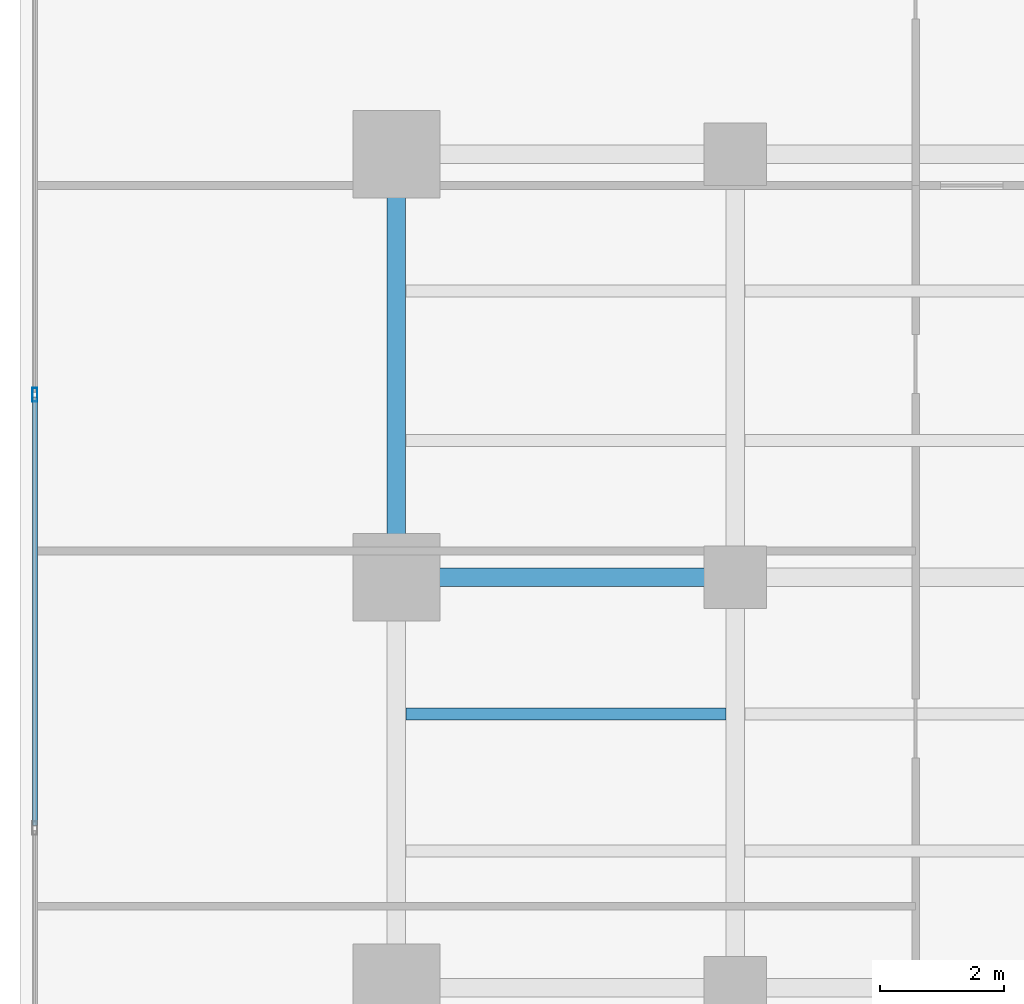
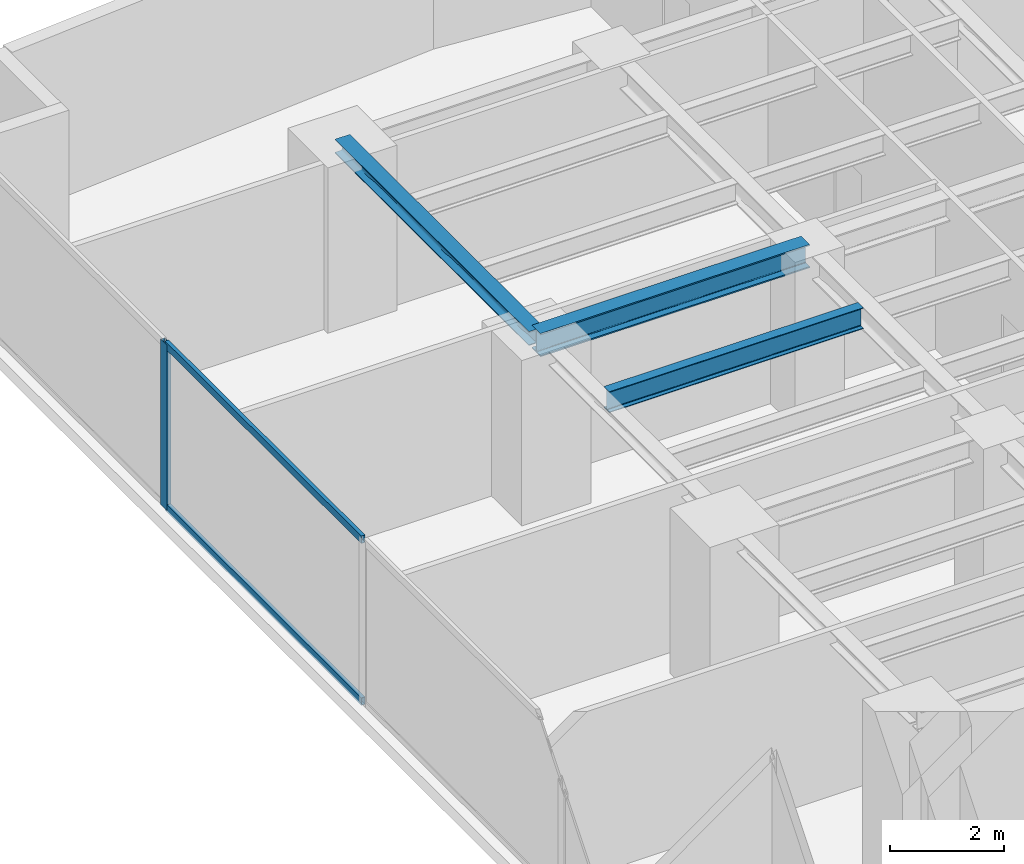
# One storey, part 14 of 24: 3 beams, 3 members, 1 element without a shape of its own.
"""IFC4 building model written with IfcOpenShell, lengths in metres."""

from ifc_helpers import new_model, si_unit, direction, frame, origin, origin_with_axes, origin_2d, place, context, subcontext, project, spatial, hollow_rectangle, i_section, extrude, source, transform, mapped, material, layer, layer_set, material_profile, profile_set, type_object, element, aggregate, save


model = new_model("IFC4")

# Units and contexts
model_context = context("Model", 3, precision=1e-05, world=origin(), true_north=direction((0.0, 1.0)))
body_context = subcontext(model_context, "Body", "Model", "MODEL_VIEW")
ifc_project = project(units=[si_unit("LENGTHUNIT", "METRE"), si_unit("AREAUNIT", "SQUARE_METRE"), si_unit("VOLUMEUNIT", "CUBIC_METRE"), si_unit("PLANEANGLEUNIT", "RADIAN"), si_unit("MASSUNIT", "GRAM", prefix="KILO")], contexts=[model_context])

# Site, building, storey
site_placement = place(None, origin())
site = spatial("IfcSite", under=ifc_project, at=site_placement, CompositionType="ELEMENT")
building_placement = place(site_placement, origin())
building = spatial("IfcBuilding", under=site, at=building_placement, Name="Kolvaren Waterfront Exchange", CompositionType="ELEMENT")
storey_placement = place(building_placement, frame((0.0, 0.0, 95.5)))
storey = spatial("IfcBuildingStorey", under=building, at=storey_placement, Name="L24", CompositionType="ELEMENT", Elevation=95.5)

# Beams
ifc_material_1 = material(Name="Steel S355", Category="steel")
ifc_material_profile_1 = material_profile(ifc_material_1, i_section(OverallWidth=0.300048828125, OverallDepth=0.300048828125, WebThickness=0.010986328125, FlangeThickness=0.01904296875, FilletRadius=0.027099609375, at=origin_2d()), Name="HEB300")
ifc_profile_set_1 = profile_set([ifc_material_profile_1], Name="Steel S355")
beam_type_1 = type_object("IfcBeamType", Name="STR-BM-HEB300", PredefinedType="SPANDREL", material=ifc_profile_set_1)
beam_1_placement = place(storey_placement, frame((7.449951171875, 37.800048828125, 3.389892578125), z_axis=(0.0, 1.0, 0.0), x_axis=(-1.0, 0.0, 0.0)))
element("IfcBeam", 1, at=beam_1_placement, inside=storey, type_object=beam_type_1, Name="L24 north-arm edge beam 3", PredefinedType="SPANDREL", context=body_context, shape_type="SweptSolid", body=[
    extrude(i_section(OverallWidth=0.300048828125, OverallDepth=0.300048828125, WebThickness=0.010986328125, FlangeThickness=0.01904296875, FilletRadius=0.027099609375, at=origin_2d()), origin(), (0.0, 0.0, 1.0), 6.800048828125),
])
ifc_material_profile_2 = material_profile(ifc_material_1, i_section(OverallWidth=0.300048828125, OverallDepth=0.5, WebThickness=0.014404296875, FlangeThickness=0.028076171875, FilletRadius=0.027099609375, at=origin_2d()), Name="HEB500")
ifc_profile_set_2 = profile_set([ifc_material_profile_2], Name="Steel S355")
beam_type_2 = type_object("IfcBeamType", Name="STR-BM-HEB500", PredefinedType="BEAM", material=ifc_profile_set_2)
beam_2_placement = place(storey_placement, frame((7.449951171875, 37.800048828125, 3.2900390625), z_axis=(1.0, 0.0, 0.0), x_axis=(0.0, 1.0, 0.0)))
element("IfcBeam", 2, at=beam_2_placement, inside=storey, type_object=beam_type_2, Name="L24 north-arm girder 3A", PredefinedType="BEAM", context=body_context, shape_type="SweptSolid", body=[
    extrude(i_section(OverallWidth=0.300048828125, OverallDepth=0.5, WebThickness=0.014404296875, FlangeThickness=0.028076171875, FilletRadius=0.027099609375, at=origin_2d()), origin(), (0.0, 0.0, 1.0), 5.449951171875),
])
ifc_material_profile_3 = material_profile(ifc_material_1, i_section(OverallWidth=0.18994140625, OverallDepth=0.449951171875, WebThickness=0.009521484375, FlangeThickness=0.0146484375, FilletRadius=0.02099609375, at=origin_2d()), Name="IPE450")
ifc_profile_set_3 = profile_set([ifc_material_profile_3], Name="Steel S355")
beam_type_3 = type_object("IfcBeamType", Name="STR-BM-IPE450", PredefinedType="JOIST", material=ifc_profile_set_3)
beam_3_placement = place(storey_placement, frame((7.60205078125, 35.60009765625, 3.31494140625), z_axis=(1.0, 0.0, 0.0), x_axis=(0.0, 1.0, 0.0)))
element("IfcBeam", 3, at=beam_3_placement, inside=storey, type_object=beam_type_3, Name="L24 north-arm composite joist 4A", PredefinedType="JOIST", context=body_context, shape_type="SweptSolid", body=[
    extrude(i_section(OverallWidth=0.18994140625, OverallDepth=0.449951171875, WebThickness=0.009521484375, FlangeThickness=0.0146484375, FilletRadius=0.02099609375, at=origin_2d()), origin(), (0.0, 0.0, 1.0), 5.14599609375),
])

# Curtain wall, members
ifc_material_2 = material(Name="Anodised aluminium 6063-T6", Category="aluminium")
ifc_layer = layer(ifc_material_2, 0.219970703125, Name="Anodised aluminium 6063-T6")
ifc_layer_set = layer_set([ifc_layer], Name="Anodised aluminium 6063-T6")
curtain_wall_type = type_object("IfcCurtainWallType", Name="ARC-CW-SYS2", PredefinedType="USERDEFINED", material=ifc_layer_set)
curtain_wall_placement = place(storey_placement, origin())
curtain_wall = element("IfcCurtainWall", 4, at=curtain_wall_placement, inside=storey, type_object=curtain_wall_type, Name="L24 stick curtain wall CW2 (CW-L24-W)", ObjectType="STICK CURTAIN WALL", PredefinedType="USERDEFINED")
ifc_material_profile_4 = material_profile(ifc_material_2, hollow_rectangle(XDim=0.080078125, YDim=0.219970703125, WallThickness=0.0048828125, at=origin_2d()), Name="ALU-MUL-220x80x5")
ifc_profile_set_4 = profile_set([ifc_material_profile_4], Name="Anodised aluminium 6063-T6")
member_type_1 = type_object("IfcMemberType", Name="ARC-CWM-220", PredefinedType="MULLION", material=ifc_profile_set_4)
shared_shape_1 = source(origin_with_axes(), body_context, "Body", "SweptSolid", [
    extrude(hollow_rectangle(XDim=0.080078125, YDim=0.219970703125, WallThickness=0.0048828125, at=origin_2d()), origin(), (0.0, 0.0, 1.0), 3.5400390625),
])
member_1_placement = place(storey_placement, frame((1.639892578125, 40.7333984375, 0.0), z_axis=(0.0, 0.0, 1.0), x_axis=(-1.0, 0.0, 0.0)))
member_1 = element("IfcMember", 5, at=member_1_placement, type_object=member_type_1, Name="CW2 mullion 6", PredefinedType="MULLION", context=body_context, shape_type="MappedRepresentation", body=[
    mapped(shared_shape_1, transform((0.0, 0.0, 0.0), x_axis=(1.0, 0.0, 0.0), y_axis=(0.0, 1.0, 0.0), z_axis=(0.0, 0.0, 1.0), scale=1.0)),
])
ifc_material_profile_5 = material_profile(ifc_material_2, hollow_rectangle(XDim=0.074951171875, YDim=0.159912109375, WallThickness=0.00439453125, at=origin_2d()), Name="ALU-TRN-160x75x4.5")
ifc_profile_set_5 = profile_set([ifc_material_profile_5], Name="Anodised aluminium 6063-T6")
member_type_2 = type_object("IfcMemberType", Name="ARC-CWT-160", PredefinedType="USERDEFINED", material=ifc_profile_set_5)
shared_shape_2 = source(origin_with_axes(), body_context, "Body", "SweptSolid", [
    extrude(hollow_rectangle(XDim=0.074951171875, YDim=0.159912109375, WallThickness=0.00439453125, at=origin_2d()), origin(), (0.0, 0.0, 1.0), 6.88671875),
])
member_2_placement = place(storey_placement, frame((1.639892578125, 33.806640625, 0.03759765625), z_axis=(0.0, 1.0, 0.0), x_axis=(-1.0, 0.0, 0.0)))
member_2 = element("IfcMember", 6, at=member_2_placement, type_object=member_type_2, Name="CW2 transom 5.1", ObjectType="TRANSOM", PredefinedType="USERDEFINED", context=body_context, shape_type="MappedRepresentation", body=[
    mapped(shared_shape_2, transform((0.0, 0.0, 0.0), x_axis=(1.0, 0.0, 0.0), y_axis=(0.0, 1.0, 0.0), z_axis=(0.0, 0.0, 1.0), scale=1.0)),
])
member_3_placement = place(storey_placement, frame((1.639892578125, 33.806640625, 3.50244140625), z_axis=(0.0, 1.0, 0.0), x_axis=(-1.0, 0.0, 0.0)))
member_3 = element("IfcMember", 7, at=member_3_placement, type_object=member_type_2, Name="CW2 transom 5.2", ObjectType="TRANSOM", PredefinedType="USERDEFINED", context=body_context, shape_type="MappedRepresentation", body=[
    mapped(shared_shape_2, transform((0.0, 0.0, 0.0), x_axis=(1.0, 0.0, 0.0), y_axis=(0.0, 1.0, 0.0), z_axis=(0.0, 0.0, 1.0), scale=1.0)),
])
aggregate(curtain_wall, [member_1, member_2, member_3])

save(model, "model.ifc")
